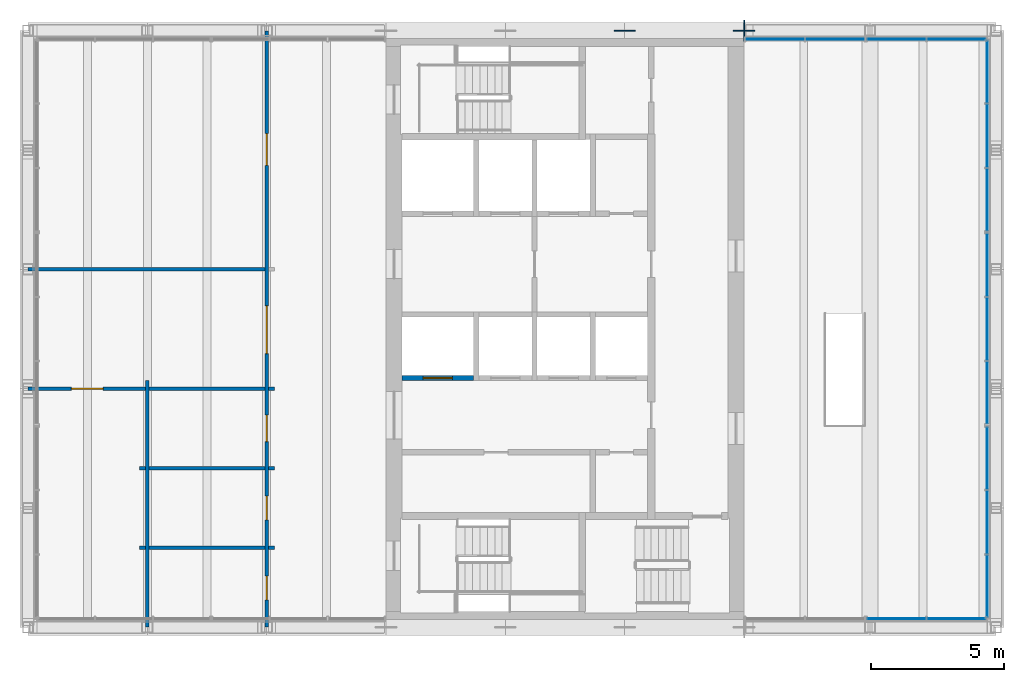
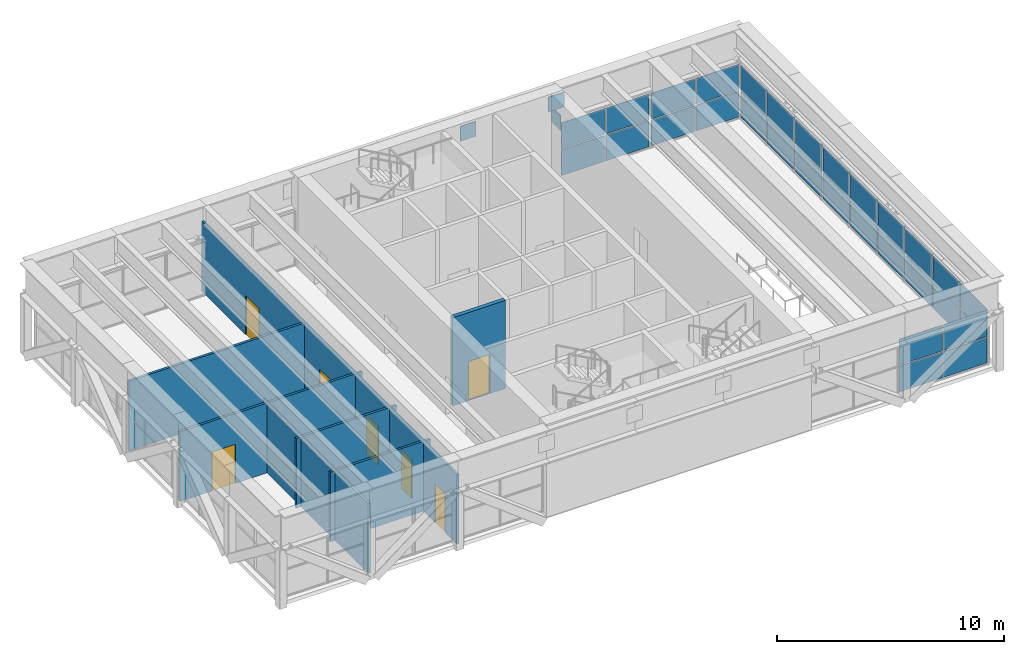
# One storey, part 8 of 12: 33 plates, 13 walls, 7 doors, 7 openings, 6 elements without a shape of their own.
"""IFC4 building model written with IfcOpenShell, lengths in metres."""

from ifc_helpers import new_model, si_unit, direction, frame, frame_2d, origin, origin_2d, place, context, subcontext, project, spatial, rectangle, extrude, material, layer, layer_set, type_object, element, fill, aggregate, save


model = new_model("IFC4")

# Units and contexts
model_context = context("Model", 3, precision=1e-05, world=origin(), true_north=direction((0.0, 1.0)))
body_context = subcontext(model_context, "Body", "Model", "MODEL_VIEW")
ifc_project = project(units=[si_unit("LENGTHUNIT", "METRE"), si_unit("AREAUNIT", "SQUARE_METRE"), si_unit("VOLUMEUNIT", "CUBIC_METRE"), si_unit("PLANEANGLEUNIT", "RADIAN"), si_unit("MASSUNIT", "GRAM", prefix="KILO")], contexts=[model_context])

# Site, building, storey
site_placement = place(None, origin())
site = spatial("IfcSite", under=ifc_project, at=site_placement, CompositionType="ELEMENT")
building_placement = place(site_placement, origin())
building = spatial("IfcBuilding", under=site, at=building_placement, Name="Sennacour Bend Tower", CompositionType="ELEMENT")
storey_placement = place(building_placement, frame((0.0, 0.0, 350.5)))
storey = spatial("IfcBuildingStorey", under=building, at=storey_placement, Name="L80", CompositionType="ELEMENT", Elevation=350.5)

# Plates
ifc_material_1 = material(Name="Steel ASTM A572 Grade 50", Category="steel")
ifc_layer_1 = layer(ifc_material_1, 0.0400390625, Name="Steel ASTM A572 Grade 50", Category="steel")
ifc_layer_set_1 = layer_set([ifc_layer_1], Name="Steel ASTM A572 Grade 50")
plate_type_1 = type_object("IfcPlateType", Name="Cast-in plate 40", PredefinedType="USERDEFINED", material=ifc_layer_set_1)
for number, where, z_axis, x_axis, name in (
    (1, (63.0, 22.5, 3.4501953125), (0.0, 0.0, 1.0), (1.0, 0.0, 0.0), "Cast-in plate CP 40"),
    (2, (67.5, 22.5, 3.4501953125), (0.0, 0.0, 1.0), (1.0, 0.0, 0.0), "Cast-in plate CP 40"),
):
    element("IfcPlate", number, at=place(storey_placement, frame(where, z_axis=z_axis, x_axis=x_axis)), inside=storey, type_object=plate_type_1, Name=name, ObjectType="CAST-IN PLATE", PredefinedType="USERDEFINED", context=body_context, shape_type="SweptSolid", body=[
        extrude(rectangle(XDim=0.800048828125, YDim=0.0400390625, at=origin_2d()), origin(), (0.0, 0.0, 1.0), 0.800048828125),
    ])
plate_1_placement = place(storey_placement, frame((67.5, 22.5, 2.5498046875), z_axis=(0.0, 0.0, 1.0), x_axis=(1.0, 0.0, 0.0)))
element("IfcPlate", 3, at=plate_1_placement, inside=storey, type_object=plate_type_1, Name="Cast-in plate CP 40", ObjectType="CAST-IN PLATE", PredefinedType="USERDEFINED", context=body_context, shape_type="SweptSolid", body=[
    extrude(rectangle(XDim=0.0400390625, YDim=0.800048828125, at=origin_2d()), origin(), (0.0, 0.0, 1.0), 0.800048828125),
])

# Curtain wall, plates
ifc_material_2 = material(Name="Bronze anodised aluminium curtain wall with clear glass", Category="aluminium")
curtain_wall_type = type_object("IfcCurtainWallType", Name="CURTAIN WALL LOUNGE", PredefinedType="NOTDEFINED", material=ifc_material_2)
curtain_wall_1_placement = place(storey_placement, origin())
curtain_wall_1 = element("IfcCurtainWall", 4, at=curtain_wall_1_placement, inside=storey, type_object=curtain_wall_type, Name="Sky lounge glass wall L80", PredefinedType="NOTDEFINED")
ifc_material_3 = material(Name="Clear low-emissivity glass", Category="glass")
ifc_layer_2 = layer(ifc_material_3, 0.031982421875, Name="Clear low-emissivity glass", Category="glass")
ifc_layer_set_2 = layer_set([ifc_layer_2], Name="Clear low-emissivity glass")
plate_type_2 = type_object("IfcPlateType", Name="PNL-GLASS-IGU32", PredefinedType="CURTAIN_PANEL", material=ifc_layer_set_2)
plate_2_placement = place(storey_placement, frame((76.675048828125, 1.553955078125, 0.06005859375), z_axis=(0.0, 0.0, 1.0), x_axis=(0.0, 1.0, 0.0)))
plate_2 = element("IfcPlate", 5, at=plate_2_placement, type_object=plate_type_2, Name="GW4 curtain wall panel 1.1", PredefinedType="CURTAIN_PANEL", context=body_context, shape_type="SweptSolid", body=[
    extrude(rectangle(XDim=2.337646484375, YDim=0.031982421875, at=origin_2d()), origin(), (0.0, 0.0, 1.0), 1.385009765625),
])
plate_3_placement = place(storey_placement, frame((76.675048828125, 1.553955078125, 1.5048828125), z_axis=(0.0, 0.0, 1.0), x_axis=(0.0, 1.0, 0.0)))
plate_3 = element("IfcPlate", 6, at=plate_3_placement, type_object=plate_type_2, Name="GW4 curtain wall panel 1.2", PredefinedType="CURTAIN_PANEL", context=body_context, shape_type="SweptSolid", body=[
    extrude(rectangle(XDim=2.337646484375, YDim=0.031982421875, at=origin_2d()), origin(), (0.0, 0.0, 1.0), 1.385009765625),
])
plate_4_placement = place(storey_placement, frame((76.675048828125, 3.966552734375, 0.06005859375), z_axis=(0.0, 0.0, 1.0), x_axis=(0.0, 1.0, 0.0)))
plate_4 = element("IfcPlate", 7, at=plate_4_placement, type_object=plate_type_2, Name="GW4 curtain wall panel 2.1", PredefinedType="CURTAIN_PANEL", context=body_context, shape_type="SweptSolid", body=[
    extrude(rectangle(XDim=2.36767578125, YDim=0.031982421875, at=origin_2d()), origin(), (0.0, 0.0, 1.0), 1.385009765625),
])
plate_5_placement = place(storey_placement, frame((76.675048828125, 3.966552734375, 1.5048828125), z_axis=(0.0, 0.0, 1.0), x_axis=(0.0, 1.0, 0.0)))
plate_5 = element("IfcPlate", 8, at=plate_5_placement, type_object=plate_type_2, Name="GW4 curtain wall panel 2.2", PredefinedType="CURTAIN_PANEL", context=body_context, shape_type="SweptSolid", body=[
    extrude(rectangle(XDim=2.36767578125, YDim=0.031982421875, at=origin_2d()), origin(), (0.0, 0.0, 1.0), 1.385009765625),
])
plate_6_placement = place(storey_placement, frame((76.675048828125, 6.37939453125, 0.06005859375), z_axis=(0.0, 0.0, 1.0), x_axis=(0.0, 1.0, 0.0)))
plate_6 = element("IfcPlate", 9, at=plate_6_placement, type_object=plate_type_2, Name="GW4 curtain wall panel 3.1", PredefinedType="CURTAIN_PANEL", context=body_context, shape_type="SweptSolid", body=[
    extrude(rectangle(XDim=2.337646484375, YDim=0.031982421875, at=origin_2d()), origin(), (0.0, 0.0, 1.0), 1.385009765625),
])
plate_7_placement = place(storey_placement, frame((76.675048828125, 6.37939453125, 1.5048828125), z_axis=(0.0, 0.0, 1.0), x_axis=(0.0, 1.0, 0.0)))
plate_7 = element("IfcPlate", 10, at=plate_7_placement, type_object=plate_type_2, Name="GW4 curtain wall panel 3.2", PredefinedType="CURTAIN_PANEL", context=body_context, shape_type="SweptSolid", body=[
    extrude(rectangle(XDim=2.337646484375, YDim=0.031982421875, at=origin_2d()), origin(), (0.0, 0.0, 1.0), 1.385009765625),
])
aggregate(curtain_wall_1, [plate_2, plate_3, plate_4, plate_5, plate_6, plate_7])

curtain_wall_2_placement = place(storey_placement, origin())
curtain_wall_2 = element("IfcCurtainWall", 11, at=curtain_wall_2_placement, inside=storey, type_object=curtain_wall_type, Name="Sky lounge glass wall L80", PredefinedType="NOTDEFINED")
plate_8_placement = place(storey_placement, frame((76.675048828125, 8.837158203125, 0.06005859375), z_axis=(0.0, 0.0, 1.0), x_axis=(0.0, 1.0, 0.0)))
plate_8 = element("IfcPlate", 12, at=plate_8_placement, type_object=plate_type_2, Name="GW4 curtain wall panel 1.1", PredefinedType="CURTAIN_PANEL", context=body_context, shape_type="SweptSolid", body=[
    extrude(rectangle(XDim=2.337890625, YDim=0.031982421875, at=origin_2d()), origin(), (0.0, 0.0, 1.0), 1.385009765625),
])
plate_9_placement = place(storey_placement, frame((76.675048828125, 8.837158203125, 1.5048828125), z_axis=(0.0, 0.0, 1.0), x_axis=(0.0, 1.0, 0.0)))
plate_9 = element("IfcPlate", 13, at=plate_9_placement, type_object=plate_type_2, Name="GW4 curtain wall panel 1.2", PredefinedType="CURTAIN_PANEL", context=body_context, shape_type="SweptSolid", body=[
    extrude(rectangle(XDim=2.337890625, YDim=0.031982421875, at=origin_2d()), origin(), (0.0, 0.0, 1.0), 1.385009765625),
])
plate_10_placement = place(storey_placement, frame((76.675048828125, 11.25, 0.06005859375), z_axis=(0.0, 0.0, 1.0), x_axis=(0.0, 1.0, 0.0)))
plate_10 = element("IfcPlate", 14, at=plate_10_placement, type_object=plate_type_2, Name="GW4 curtain wall panel 2.1", PredefinedType="CURTAIN_PANEL", context=body_context, shape_type="SweptSolid", body=[
    extrude(rectangle(XDim=2.367919921875, YDim=0.031982421875, at=origin_2d()), origin(), (0.0, 0.0, 1.0), 1.385009765625),
])
plate_11_placement = place(storey_placement, frame((76.675048828125, 11.25, 1.5048828125), z_axis=(0.0, 0.0, 1.0), x_axis=(0.0, 1.0, 0.0)))
plate_11 = element("IfcPlate", 15, at=plate_11_placement, type_object=plate_type_2, Name="GW4 curtain wall panel 2.2", PredefinedType="CURTAIN_PANEL", context=body_context, shape_type="SweptSolid", body=[
    extrude(rectangle(XDim=2.367919921875, YDim=0.031982421875, at=origin_2d()), origin(), (0.0, 0.0, 1.0), 1.385009765625),
])
plate_12_placement = place(storey_placement, frame((76.675048828125, 13.662841796875, 0.06005859375), z_axis=(0.0, 0.0, 1.0), x_axis=(0.0, 1.0, 0.0)))
plate_12 = element("IfcPlate", 16, at=plate_12_placement, type_object=plate_type_2, Name="GW4 curtain wall panel 3.1", PredefinedType="CURTAIN_PANEL", context=body_context, shape_type="SweptSolid", body=[
    extrude(rectangle(XDim=2.337890625, YDim=0.031982421875, at=origin_2d()), origin(), (0.0, 0.0, 1.0), 1.385009765625),
])
plate_13_placement = place(storey_placement, frame((76.675048828125, 13.662841796875, 1.5048828125), z_axis=(0.0, 0.0, 1.0), x_axis=(0.0, 1.0, 0.0)))
plate_13 = element("IfcPlate", 17, at=plate_13_placement, type_object=plate_type_2, Name="GW4 curtain wall panel 3.2", PredefinedType="CURTAIN_PANEL", context=body_context, shape_type="SweptSolid", body=[
    extrude(rectangle(XDim=2.337890625, YDim=0.031982421875, at=origin_2d()), origin(), (0.0, 0.0, 1.0), 1.385009765625),
])
aggregate(curtain_wall_2, [plate_8, plate_9, plate_10, plate_11, plate_12, plate_13])

curtain_wall_3_placement = place(storey_placement, origin())
curtain_wall_3 = element("IfcCurtainWall", 18, at=curtain_wall_3_placement, inside=storey, type_object=curtain_wall_type, Name="Sky lounge glass wall L80", PredefinedType="NOTDEFINED")
plate_14_placement = place(storey_placement, frame((76.675048828125, 16.12060546875, 0.06005859375), z_axis=(0.0, 0.0, 1.0), x_axis=(0.0, 1.0, 0.0)))
plate_14 = element("IfcPlate", 19, at=plate_14_placement, type_object=plate_type_2, Name="GW4 curtain wall panel 1.1", PredefinedType="CURTAIN_PANEL", context=body_context, shape_type="SweptSolid", body=[
    extrude(rectangle(XDim=2.337646484375, YDim=0.031982421875, at=origin_2d()), origin(), (0.0, 0.0, 1.0), 1.385009765625),
])
plate_15_placement = place(storey_placement, frame((76.675048828125, 16.12060546875, 1.5048828125), z_axis=(0.0, 0.0, 1.0), x_axis=(0.0, 1.0, 0.0)))
plate_15 = element("IfcPlate", 20, at=plate_15_placement, type_object=plate_type_2, Name="GW4 curtain wall panel 1.2", PredefinedType="CURTAIN_PANEL", context=body_context, shape_type="SweptSolid", body=[
    extrude(rectangle(XDim=2.337646484375, YDim=0.031982421875, at=origin_2d()), origin(), (0.0, 0.0, 1.0), 1.385009765625),
])
plate_16_placement = place(storey_placement, frame((76.675048828125, 18.533447265625, 0.06005859375), z_axis=(0.0, 0.0, 1.0), x_axis=(0.0, 1.0, 0.0)))
plate_16 = element("IfcPlate", 21, at=plate_16_placement, type_object=plate_type_2, Name="GW4 curtain wall panel 2.1", PredefinedType="CURTAIN_PANEL", context=body_context, shape_type="SweptSolid", body=[
    extrude(rectangle(XDim=2.36767578125, YDim=0.031982421875, at=origin_2d()), origin(), (0.0, 0.0, 1.0), 1.385009765625),
])
plate_17_placement = place(storey_placement, frame((76.675048828125, 18.533447265625, 1.5048828125), z_axis=(0.0, 0.0, 1.0), x_axis=(0.0, 1.0, 0.0)))
plate_17 = element("IfcPlate", 22, at=plate_17_placement, type_object=plate_type_2, Name="GW4 curtain wall panel 2.2", PredefinedType="CURTAIN_PANEL", context=body_context, shape_type="SweptSolid", body=[
    extrude(rectangle(XDim=2.36767578125, YDim=0.031982421875, at=origin_2d()), origin(), (0.0, 0.0, 1.0), 1.385009765625),
])
plate_18_placement = place(storey_placement, frame((76.675048828125, 20.946044921875, 0.06005859375), z_axis=(0.0, 0.0, 1.0), x_axis=(0.0, 1.0, 0.0)))
plate_18 = element("IfcPlate", 23, at=plate_18_placement, type_object=plate_type_2, Name="GW4 curtain wall panel 3.1", PredefinedType="CURTAIN_PANEL", context=body_context, shape_type="SweptSolid", body=[
    extrude(rectangle(XDim=2.337646484375, YDim=0.031982421875, at=origin_2d()), origin(), (0.0, 0.0, 1.0), 1.385009765625),
])
plate_19_placement = place(storey_placement, frame((76.675048828125, 20.946044921875, 1.5048828125), z_axis=(0.0, 0.0, 1.0), x_axis=(0.0, 1.0, 0.0)))
plate_19 = element("IfcPlate", 24, at=plate_19_placement, type_object=plate_type_2, Name="GW4 curtain wall panel 3.2", PredefinedType="CURTAIN_PANEL", context=body_context, shape_type="SweptSolid", body=[
    extrude(rectangle(XDim=2.337646484375, YDim=0.031982421875, at=origin_2d()), origin(), (0.0, 0.0, 1.0), 1.385009765625),
])
aggregate(curtain_wall_3, [plate_14, plate_15, plate_16, plate_17, plate_18, plate_19])

curtain_wall_4_placement = place(storey_placement, origin())
curtain_wall_4 = element("IfcCurtainWall", 25, at=curtain_wall_4_placement, inside=storey, type_object=curtain_wall_type, Name="Sky lounge glass wall L80", PredefinedType="NOTDEFINED")
plate_20_placement = place(storey_placement, frame((75.51318359375, 22.175048828125, 0.06005859375), z_axis=(0.0, 0.0, 1.0), x_axis=(-1.0, 0.0, 0.0)))
plate_20 = element("IfcPlate", 26, at=plate_20_placement, type_object=plate_type_2, Name="GW4 curtain wall panel 1.1", PredefinedType="CURTAIN_PANEL", context=body_context, shape_type="SweptSolid", body=[
    extrude(rectangle(XDim=2.20361328125, YDim=0.031982421875, at=origin_2d()), origin(), (0.0, 0.0, 1.0), 1.385009765625),
])
plate_21_placement = place(storey_placement, frame((75.51318359375, 22.175048828125, 1.5048828125), z_axis=(0.0, 0.0, 1.0), x_axis=(-1.0, 0.0, 0.0)))
plate_21 = element("IfcPlate", 27, at=plate_21_placement, type_object=plate_type_2, Name="GW4 curtain wall panel 1.2", PredefinedType="CURTAIN_PANEL", context=body_context, shape_type="SweptSolid", body=[
    extrude(rectangle(XDim=2.20361328125, YDim=0.031982421875, at=origin_2d()), origin(), (0.0, 0.0, 1.0), 1.385009765625),
])
plate_22_placement = place(storey_placement, frame((73.249755859375, 22.175048828125, 0.06005859375), z_axis=(0.0, 0.0, 1.0), x_axis=(-1.0, 0.0, 0.0)))
plate_22 = element("IfcPlate", 28, at=plate_22_placement, type_object=plate_type_2, Name="GW4 curtain wall panel 2.1", PredefinedType="CURTAIN_PANEL", context=body_context, shape_type="SweptSolid", body=[
    extrude(rectangle(XDim=2.20361328125, YDim=0.031982421875, at=origin_2d()), origin(), (0.0, 0.0, 1.0), 1.385009765625),
])
plate_23_placement = place(storey_placement, frame((73.249755859375, 22.175048828125, 1.5048828125), z_axis=(0.0, 0.0, 1.0), x_axis=(-1.0, 0.0, 0.0)))
plate_23 = element("IfcPlate", 29, at=plate_23_placement, type_object=plate_type_2, Name="GW4 curtain wall panel 2.2", PredefinedType="CURTAIN_PANEL", context=body_context, shape_type="SweptSolid", body=[
    extrude(rectangle(XDim=2.20361328125, YDim=0.031982421875, at=origin_2d()), origin(), (0.0, 0.0, 1.0), 1.385009765625),
])
aggregate(curtain_wall_4, [plate_20, plate_21, plate_22, plate_23])

curtain_wall_5_placement = place(storey_placement, origin())
curtain_wall_5 = element("IfcCurtainWall", 30, at=curtain_wall_5_placement, inside=storey, type_object=curtain_wall_type, Name="Sky lounge glass wall L80", PredefinedType="NOTDEFINED")
plate_24_placement = place(storey_placement, frame((70.92626953125, 22.175048828125, 0.06005859375), z_axis=(0.0, 0.0, 1.0), x_axis=(-1.0, 0.0, 0.0)))
plate_24 = element("IfcPlate", 31, at=plate_24_placement, type_object=plate_type_2, Name="GW4 curtain wall panel 1.1", PredefinedType="CURTAIN_PANEL", context=body_context, shape_type="SweptSolid", body=[
    extrude(rectangle(XDim=2.20361328125, YDim=0.031982421875, at=origin_2d()), origin(), (0.0, 0.0, 1.0), 1.385009765625),
])
plate_25_placement = place(storey_placement, frame((70.92626953125, 22.175048828125, 1.5048828125), z_axis=(0.0, 0.0, 1.0), x_axis=(-1.0, 0.0, 0.0)))
plate_25 = element("IfcPlate", 32, at=plate_25_placement, type_object=plate_type_2, Name="GW4 curtain wall panel 1.2", PredefinedType="CURTAIN_PANEL", context=body_context, shape_type="SweptSolid", body=[
    extrude(rectangle(XDim=2.20361328125, YDim=0.031982421875, at=origin_2d()), origin(), (0.0, 0.0, 1.0), 1.385009765625),
])
plate_26_placement = place(storey_placement, frame((68.662841796875, 22.175048828125, 0.06005859375), z_axis=(0.0, 0.0, 1.0), x_axis=(-1.0, 0.0, 0.0)))
plate_26 = element("IfcPlate", 33, at=plate_26_placement, type_object=plate_type_2, Name="GW4 curtain wall panel 2.1", PredefinedType="CURTAIN_PANEL", context=body_context, shape_type="SweptSolid", body=[
    extrude(rectangle(XDim=2.20361328125, YDim=0.031982421875, at=origin_2d()), origin(), (0.0, 0.0, 1.0), 1.385009765625),
])
plate_27_placement = place(storey_placement, frame((68.662841796875, 22.175048828125, 1.5048828125), z_axis=(0.0, 0.0, 1.0), x_axis=(-1.0, 0.0, 0.0)))
plate_27 = element("IfcPlate", 34, at=plate_27_placement, type_object=plate_type_2, Name="GW4 curtain wall panel 2.2", PredefinedType="CURTAIN_PANEL", context=body_context, shape_type="SweptSolid", body=[
    extrude(rectangle(XDim=2.20361328125, YDim=0.031982421875, at=origin_2d()), origin(), (0.0, 0.0, 1.0), 1.385009765625),
])
aggregate(curtain_wall_5, [plate_24, plate_25, plate_26, plate_27])

curtain_wall_6_placement = place(storey_placement, origin())
curtain_wall_6 = element("IfcCurtainWall", 35, at=curtain_wall_6_placement, inside=storey, type_object=curtain_wall_type, Name="Sky lounge glass wall L80", PredefinedType="NOTDEFINED")
plate_28_placement = place(storey_placement, frame((73.249755859375, 0.324951171875, 0.06005859375), z_axis=(0.0, 0.0, 1.0), x_axis=(1.0, 0.0, 0.0)))
plate_28 = element("IfcPlate", 36, at=plate_28_placement, type_object=plate_type_2, Name="GW4 curtain wall panel 1.1", PredefinedType="CURTAIN_PANEL", context=body_context, shape_type="SweptSolid", body=[
    extrude(rectangle(XDim=2.20361328125, YDim=0.031982421875, at=origin_2d()), origin(), (0.0, 0.0, 1.0), 1.385009765625),
])
plate_29_placement = place(storey_placement, frame((73.249755859375, 0.324951171875, 1.5048828125), z_axis=(0.0, 0.0, 1.0), x_axis=(1.0, 0.0, 0.0)))
plate_29 = element("IfcPlate", 37, at=plate_29_placement, type_object=plate_type_2, Name="GW4 curtain wall panel 1.2", PredefinedType="CURTAIN_PANEL", context=body_context, shape_type="SweptSolid", body=[
    extrude(rectangle(XDim=2.20361328125, YDim=0.031982421875, at=origin_2d()), origin(), (0.0, 0.0, 1.0), 1.385009765625),
])
plate_30_placement = place(storey_placement, frame((75.51318359375, 0.324951171875, 0.06005859375), z_axis=(0.0, 0.0, 1.0), x_axis=(1.0, 0.0, 0.0)))
plate_30 = element("IfcPlate", 38, at=plate_30_placement, type_object=plate_type_2, Name="GW4 curtain wall panel 2.1", PredefinedType="CURTAIN_PANEL", context=body_context, shape_type="SweptSolid", body=[
    extrude(rectangle(XDim=2.20361328125, YDim=0.031982421875, at=origin_2d()), origin(), (0.0, 0.0, 1.0), 1.385009765625),
])
plate_31_placement = place(storey_placement, frame((75.51318359375, 0.324951171875, 1.5048828125), z_axis=(0.0, 0.0, 1.0), x_axis=(1.0, 0.0, 0.0)))
plate_31 = element("IfcPlate", 39, at=plate_31_placement, type_object=plate_type_2, Name="GW4 curtain wall panel 2.2", PredefinedType="CURTAIN_PANEL", context=body_context, shape_type="SweptSolid", body=[
    extrude(rectangle(XDim=2.20361328125, YDim=0.031982421875, at=origin_2d()), origin(), (0.0, 0.0, 1.0), 1.385009765625),
])
aggregate(curtain_wall_6, [plate_28, plate_29, plate_30, plate_31])

# Walls
ifc_material_4 = material(Name="Plasterboard partition on steel studs", Category="steel")
ifc_layer_3 = layer(ifc_material_4, 0.1201171875, Name="Plasterboard partition on steel studs", Category="steel")
ifc_layer_set_3 = layer_set([ifc_layer_3], Name="Plasterboard partition on steel studs")
wall_type_1 = type_object("IfcWallType", Name="Partition 120", PredefinedType="PARTITIONING", material=ifc_layer_set_3)
wall_1_placement = place(storey_placement, frame((45.0, 0.010009765625, 0.0), z_axis=(0.0, 0.0, 1.0), x_axis=(0.0, 1.0, 0.0)))
element("IfcWall", 40, at=wall_1_placement, inside=storey, type_object=wall_type_1, Name="P-L80-W002a", PredefinedType="PARTITIONING", context=body_context, shape_type="SweptSolid", body=[
    extrude(rectangle(XDim=9.2900390625, YDim=0.1201171875, at=frame_2d((4.64501953125, 0.0))), origin(), (0.0, 0.0, 1.0), 3.7587890625),
])
wall_2_placement = place(storey_placement, frame((44.699951171875, 3.0, 0.0), z_axis=(0.0, 0.0, 1.0), x_axis=(1.0, 0.0, 0.0)))
element("IfcWall", 41, at=wall_2_placement, inside=storey, type_object=wall_type_1, Name="P-L80-W019aa", PredefinedType="PARTITIONING", context=body_context, shape_type="SweptSolid", body=[
    extrude(rectangle(XDim=0.239990234375, YDim=0.1201171875, at=frame_2d((0.1201171875, 0.0))), origin(), (0.0, 0.0, 1.0), 3.7587890625),
])
wall_3_placement = place(storey_placement, frame((45.06005859375, 3.0, 0.0), z_axis=(0.0, 0.0, 1.0), x_axis=(1.0, 0.0, 0.0)))
element("IfcWall", 42, at=wall_3_placement, inside=storey, type_object=wall_type_1, Name="P-L80-W019ab", PredefinedType="PARTITIONING", context=body_context, shape_type="SweptSolid", body=[
    extrude(rectangle(XDim=4.3798828125, YDim=0.1201171875, at=frame_2d((2.18994140625, 0.0))), origin(), (0.0, 0.0, 1.0), 3.7587890625),
])
for number, where, z_axis, x_axis, name in (
    (43, (49.56005859375, 3.0, 0.0), (0.0, 0.0, 1.0), (1.0, 0.0, 0.0), "P-L80-W019ac"),
    (44, (44.699951171875, 6.0, 0.0), (0.0, 0.0, 1.0), (1.0, 0.0, 0.0), "P-L80-W021aa"),
):
    element("IfcWall", number, at=place(storey_placement, frame(where, z_axis=z_axis, x_axis=x_axis)), inside=storey, type_object=wall_type_1, Name=name, PredefinedType="PARTITIONING", context=body_context, shape_type="SweptSolid", body=[
        extrude(rectangle(XDim=0.239990234375, YDim=0.1201171875, at=frame_2d((0.1201171875, 0.0))), origin(), (0.0, 0.0, 1.0), 3.7587890625),
    ])
wall_4_placement = place(storey_placement, frame((45.06005859375, 6.0, 0.0), z_axis=(0.0, 0.0, 1.0), x_axis=(1.0, 0.0, 0.0)))
element("IfcWall", 45, at=wall_4_placement, inside=storey, type_object=wall_type_1, Name="P-L80-W021ab", PredefinedType="PARTITIONING", context=body_context, shape_type="SweptSolid", body=[
    extrude(rectangle(XDim=4.3798828125, YDim=0.1201171875, at=frame_2d((2.18994140625, 0.0))), origin(), (0.0, 0.0, 1.0), 3.7587890625),
])
wall_5_placement = place(storey_placement, frame((49.56005859375, 6.0, 0.0), z_axis=(0.0, 0.0, 1.0), x_axis=(1.0, 0.0, 0.0)))
element("IfcWall", 46, at=wall_5_placement, inside=storey, type_object=wall_type_1, Name="P-L80-W021ac", PredefinedType="PARTITIONING", context=body_context, shape_type="SweptSolid", body=[
    extrude(rectangle(XDim=0.239990234375, YDim=0.1201171875, at=frame_2d((0.1201171875, 0.0))), origin(), (0.0, 0.0, 1.0), 3.7587890625),
])

# Wall, opening, door
wall_6_placement = place(storey_placement, frame((40.510009765625, 9.0, 0.0), z_axis=(0.0, 0.0, 1.0), x_axis=(1.0, 0.0, 0.0)))
wall_6 = element("IfcWall", 47, at=wall_6_placement, inside=storey, type_object=wall_type_1, Name="P-L80-W023aa", PredefinedType="PARTITIONING", context=body_context, shape_type="SweptSolid", body=[
    extrude(rectangle(XDim=4.429931640625, YDim=0.1201171875, at=frame_2d((2.21484375, 0.0))), origin(), (0.0, 0.0, 1.0), 3.7587890625),
])
opening_1_placement = place(wall_6_placement, frame((1.625, 0.0, 0.0)))
opening_1 = element("IfcOpeningElement", 48, at=opening_1_placement, cuts=wall_6, Name="Opening MD", PredefinedType="OPENING", context=body_context, shape_type="SweptSolid", body=[
    extrude(rectangle(XDim=1.199951171875, YDim=2.10009765625, at=frame_2d((0.60009765625, 1.050048828125))), frame((0.0, 0.070068359375, 0.0), z_axis=(0.0, -1.0, 0.0), x_axis=(1.0, 0.0, 0.0)), (0.0, 0.0, 1.0), 0.14013671875),
])
ifc_material_5 = material(Name="Timber", Category="wood")
door_type_1 = type_object("IfcDoorType", Name="DR-MEETING-1200", OperationType="NOTDEFINED", PredefinedType="DOOR", material=ifc_material_5)
door_1_placement = place(opening_1_placement, origin())
door_1 = element("IfcDoor", 49, at=door_1_placement, inside=storey, type_object=door_type_1, Name="Door", OperationType="SINGLE_SWING_RIGHT", OverallHeight=2.10009765625, OverallWidth=1.199951171875, PredefinedType="DOOR", context=body_context, shape_type="SweptSolid", body=[
    extrude(rectangle(XDim=1.199951171875, YDim=2.10009765625, at=frame_2d((0.60009765625, 1.050048828125))), frame((0.0, 0.02490234375, 0.0), z_axis=(0.0, -1.0, 0.0), x_axis=(1.0, 0.0, 0.0)), (0.0, 0.0, 1.0), 0.050048828125),
])
fill(opening_1, door_1)

# Walls
wall_7_placement = place(storey_placement, frame((45.06005859375, 9.0, 0.0), z_axis=(0.0, 0.0, 1.0), x_axis=(1.0, 0.0, 0.0)))
element("IfcWall", 50, at=wall_7_placement, inside=storey, type_object=wall_type_1, Name="P-L80-W023ab", PredefinedType="PARTITIONING", context=body_context, shape_type="SweptSolid", body=[
    extrude(rectangle(XDim=4.3798828125, YDim=0.1201171875, at=frame_2d((2.18994140625, 0.0))), origin(), (0.0, 0.0, 1.0), 3.7587890625),
])
wall_8_placement = place(storey_placement, frame((49.56005859375, 9.0, 0.0), z_axis=(0.0, 0.0, 1.0), x_axis=(1.0, 0.0, 0.0)))
element("IfcWall", 51, at=wall_8_placement, inside=storey, type_object=wall_type_1, Name="P-L80-W023ac", PredefinedType="PARTITIONING", context=body_context, shape_type="SweptSolid", body=[
    extrude(rectangle(XDim=0.239990234375, YDim=0.1201171875, at=frame_2d((0.1201171875, 0.0))), origin(), (0.0, 0.0, 1.0), 3.7587890625),
])
wall_9_placement = place(storey_placement, frame((40.510009765625, 13.5, 0.0), z_axis=(0.0, 0.0, 1.0), x_axis=(1.0, 0.0, 0.0)))
element("IfcWall", 52, at=wall_9_placement, inside=storey, type_object=wall_type_1, Name="P-L80-W026aa", PredefinedType="PARTITIONING", context=body_context, shape_type="SweptSolid", body=[
    extrude(rectangle(XDim=8.929931640625, YDim=0.1201171875, at=frame_2d((4.46484375, 0.0))), origin(), (0.0, 0.0, 1.0), 3.7587890625),
])

# Wall, openings, doors
ifc_layer_4 = layer(ifc_material_4, 0.1201171875, Name="Plasterboard partition on steel studs", Category="steel")
ifc_layer_set_4 = layer_set([ifc_layer_4], Name="Plasterboard partition on steel studs")
wall_type_2 = type_object("IfcWallType", Name="Partition 120 EI 60", PredefinedType="PARTITIONING", material=ifc_layer_set_4)
wall_10_placement = place(storey_placement, frame((49.5, 0.010009765625, 0.0), z_axis=(0.0, 0.0, 1.0), x_axis=(0.0, 1.0, 0.0)))
wall_10 = element("IfcWall", 53, at=wall_10_placement, inside=storey, type_object=wall_type_2, Name="P-L80-W003a", PredefinedType="PARTITIONING", context=body_context, shape_type="SweptSolid", body=[
    extrude(rectangle(XDim=22.47998046875, YDim=0.1201171875, at=frame_2d((11.239990234375, 0.0))), origin(), (0.0, 0.0, 1.0), 3.7587890625),
])
opening_2_placement = place(wall_10_placement, frame((1.02490234375, 0.0, 0.0)))
opening_2 = element("IfcOpeningElement", 54, at=opening_2_placement, cuts=wall_10, Name="Opening WD", PredefinedType="OPENING", context=body_context, shape_type="SweptSolid", body=[
    extrude(rectangle(XDim=0.89990234375, YDim=2.10009765625, at=frame_2d((0.449951171875, 1.050048828125))), frame((0.0, 0.070068359375, 0.0), z_axis=(0.0, -1.0, 0.0), x_axis=(1.0, 0.0, 0.0)), (0.0, 0.0, 1.0), 0.14013671875),
])
opening_3_placement = place(wall_10_placement, frame((4.0400390625, 0.0, 0.0)))
opening_3 = element("IfcOpeningElement", 55, at=opening_3_placement, cuts=wall_10, Name="Opening WD", PredefinedType="OPENING", context=body_context, shape_type="SweptSolid", body=[
    extrude(rectangle(XDim=0.89990234375, YDim=2.10009765625, at=frame_2d((0.449951171875, 1.050048828125))), frame((0.0, 0.070068359375, 0.0), z_axis=(0.0, -1.0, 0.0), x_axis=(1.0, 0.0, 0.0)), (0.0, 0.0, 1.0), 0.14013671875),
])
opening_4_placement = place(wall_10_placement, frame((6.989990234375, 0.0, 0.0)))
opening_4 = element("IfcOpeningElement", 56, at=opening_4_placement, cuts=wall_10, Name="Opening AD", PredefinedType="OPENING", context=body_context, shape_type="SweptSolid", body=[
    extrude(rectangle(XDim=1.0, YDim=2.10009765625, at=frame_2d((0.5, 1.050048828125))), frame((0.0, 0.070068359375, 0.0), z_axis=(0.0, -1.0, 0.0), x_axis=(1.0, 0.0, 0.0)), (0.0, 0.0, 1.0), 0.14013671875),
])
opening_5_placement = place(wall_10_placement, frame((10.31005859375, 0.0, 0.0)))
opening_5 = element("IfcOpeningElement", 57, at=opening_5_placement, cuts=wall_10, Name="Opening CD", PredefinedType="OPENING", context=body_context, shape_type="SweptSolid", body=[
    extrude(rectangle(XDim=1.800048828125, YDim=2.10009765625, at=frame_2d((0.89990234375, 1.050048828125))), frame((0.0, 0.070068359375, 0.0), z_axis=(0.0, -1.0, 0.0), x_axis=(1.0, 0.0, 0.0)), (0.0, 0.0, 1.0), 0.14013671875),
])
opening_6_placement = place(wall_10_placement, frame((17.405029296875, 0.0, 0.0)))
opening_6 = element("IfcOpeningElement", 58, at=opening_6_placement, cuts=wall_10, Name="Opening SV5", PredefinedType="OPENING", context=body_context, shape_type="SweptSolid", body=[
    extrude(rectangle(XDim=1.199951171875, YDim=2.10009765625, at=frame_2d((0.60009765625, 1.050048828125))), frame((0.0, 0.070068359375, 0.0), z_axis=(0.0, -1.0, 0.0), x_axis=(1.0, 0.0, 0.0)), (0.0, 0.0, 1.0), 0.14013671875),
])
door_type_2 = type_object("IfcDoorType", Name="DR-ACC-WC-1000", OperationType="NOTDEFINED", PredefinedType="DOOR", material=ifc_material_5)
door_2_placement = place(opening_4_placement, origin())
door_2 = element("IfcDoor", 59, at=door_2_placement, inside=storey, type_object=door_type_2, Name="Door", OperationType="SINGLE_SWING_LEFT", OverallHeight=2.10009765625, OverallWidth=1.0, PredefinedType="DOOR", context=body_context, shape_type="SweptSolid", body=[
    extrude(rectangle(XDim=1.0, YDim=2.10009765625, at=frame_2d((0.5, 1.050048828125))), frame((0.0, 0.02490234375, 0.0), z_axis=(0.0, -1.0, 0.0), x_axis=(1.0, 0.0, 0.0)), (0.0, 0.0, 1.0), 0.050048828125),
])
fill(opening_4, door_2)
ifc_material_6 = material(Name="Painted steel", Category="steel")
door_type_3 = type_object("IfcDoorType", Name="DR-LOBBY-1800", OperationType="NOTDEFINED", PredefinedType="DOOR", material=ifc_material_6)
door_3_placement = place(opening_5_placement, origin())
door_3 = element("IfcDoor", 60, at=door_3_placement, inside=storey, type_object=door_type_3, Name="Door", OperationType="DOUBLE_DOOR_SINGLE_SWING", OverallHeight=2.10009765625, OverallWidth=1.800048828125, PredefinedType="DOOR", context=body_context, shape_type="SweptSolid", body=[
    extrude(rectangle(XDim=1.800048828125, YDim=2.10009765625, at=frame_2d((0.89990234375, 1.050048828125))), frame((0.0, 0.02490234375, 0.0), z_axis=(0.0, -1.0, 0.0), x_axis=(1.0, 0.0, 0.0)), (0.0, 0.0, 1.0), 0.050048828125),
])
fill(opening_5, door_3)
door_type_4 = type_object("IfcDoorType", Name="DR-SERVICE-1200", OperationType="NOTDEFINED", PredefinedType="DOOR", material=ifc_material_6)
door_4_placement = place(opening_6_placement, origin())
door_4 = element("IfcDoor", 61, at=door_4_placement, inside=storey, type_object=door_type_4, Name="Door", OperationType="SINGLE_SWING_RIGHT", OverallHeight=2.10009765625, OverallWidth=1.199951171875, PredefinedType="DOOR", context=body_context, shape_type="SweptSolid", body=[
    extrude(rectangle(XDim=1.199951171875, YDim=2.10009765625, at=frame_2d((0.60009765625, 1.050048828125))), frame((0.0, 0.02490234375, 0.0), z_axis=(0.0, -1.0, 0.0), x_axis=(1.0, 0.0, 0.0)), (0.0, 0.0, 1.0), 0.050048828125),
])
fill(opening_6, door_4)
door_type_5 = type_object("IfcDoorType", Name="DR-WC-900", OperationType="NOTDEFINED", PredefinedType="DOOR", material=ifc_material_5)
door_5_placement = place(opening_2_placement, origin())
door_5 = element("IfcDoor", 62, at=door_5_placement, inside=storey, type_object=door_type_5, Name="Door", OperationType="SINGLE_SWING_LEFT", OverallHeight=2.10009765625, OverallWidth=0.89990234375, PredefinedType="DOOR", context=body_context, shape_type="SweptSolid", body=[
    extrude(rectangle(XDim=0.89990234375, YDim=2.10009765625, at=frame_2d((0.449951171875, 1.050048828125))), frame((0.0, 0.02490234375, 0.0), z_axis=(0.0, -1.0, 0.0), x_axis=(1.0, 0.0, 0.0)), (0.0, 0.0, 1.0), 0.050048828125),
])
fill(opening_2, door_5)
door_6_placement = place(opening_3_placement, origin())
door_6 = element("IfcDoor", 63, at=door_6_placement, inside=storey, type_object=door_type_5, Name="Door", OperationType="SINGLE_SWING_LEFT", OverallHeight=2.10009765625, OverallWidth=0.89990234375, PredefinedType="DOOR", context=body_context, shape_type="SweptSolid", body=[
    extrude(rectangle(XDim=0.89990234375, YDim=2.10009765625, at=frame_2d((0.449951171875, 1.050048828125))), frame((0.0, 0.02490234375, 0.0), z_axis=(0.0, -1.0, 0.0), x_axis=(1.0, 0.0, 0.0)), (0.0, 0.0, 1.0), 0.050048828125),
])
fill(opening_3, door_6)

# Wall, opening, door
ifc_material_7 = material(Name="Concrete C50/60", Category="concrete")
ifc_layer_5 = layer(ifc_material_7, 0.199951171875, Name="Concrete C50/60", Category="concrete")
ifc_layer_set_5 = layer_set([ifc_layer_5], Name="Concrete C50/60")
wall_type_3 = type_object("IfcWallType", Name="Shaft wall 200", PredefinedType="SOLIDWALL", material=ifc_layer_set_5)
wall_11_placement = place(storey_placement, frame((54.60009765625, 9.39990234375, 0.0), z_axis=(0.0, 0.0, 1.0), x_axis=(1.0, 0.0, 0.0)))
wall_11 = element("IfcWall", 64, at=wall_11_placement, inside=storey, type_object=wall_type_3, Name="P-L80-W024a", PredefinedType="SOLIDWALL", context=body_context, shape_type="SweptSolid", body=[
    extrude(rectangle(XDim=2.699951171875, YDim=0.199951171875, at=frame_2d((1.35009765625, 0.0))), origin(), (0.0, 0.0, 1.0), 4.75),
])
opening_7_placement = place(wall_11_placement, frame((0.7998046875, 0.0, 0.011962890625)))
opening_7 = element("IfcOpeningElement", 65, at=opening_7_placement, cuts=wall_11, Name="Opening LD", PredefinedType="OPENING", context=body_context, shape_type="SweptSolid", body=[
    extrude(rectangle(XDim=1.10009765625, YDim=2.10009765625, at=frame_2d((0.550048828125, 1.050048828125))), frame((0.0, 0.10986328125, 0.0), z_axis=(0.0, -1.0, 0.0), x_axis=(1.0, 0.0, 0.0)), (0.0, 0.0, 1.0), 0.219970703125),
])
ifc_material_8 = material(Name="Stainless steel", Category="steel")
door_type_6 = type_object("IfcDoorType", Name="DR-LANDING-1100", OperationType="NOTDEFINED", PredefinedType="DOOR", material=ifc_material_8)
door_7_placement = place(opening_7_placement, origin())
door_7 = element("IfcDoor", 66, at=door_7_placement, inside=storey, type_object=door_type_6, Name="Lift landing door HA1", OperationType="SLIDING_TO_LEFT", OverallHeight=2.10009765625, OverallWidth=1.10009765625, PredefinedType="DOOR", context=body_context, shape_type="SweptSolid", body=[
    extrude(rectangle(XDim=1.10009765625, YDim=2.10009765625, at=frame_2d((0.550048828125, 1.050048828125))), frame((0.0, 0.02490234375, 0.0), z_axis=(0.0, -1.0, 0.0), x_axis=(1.0, 0.0, 0.0)), (0.0, 0.0, 1.0), 0.050048828125),
])
fill(opening_7, door_7)

save(model, "model.ifc")
